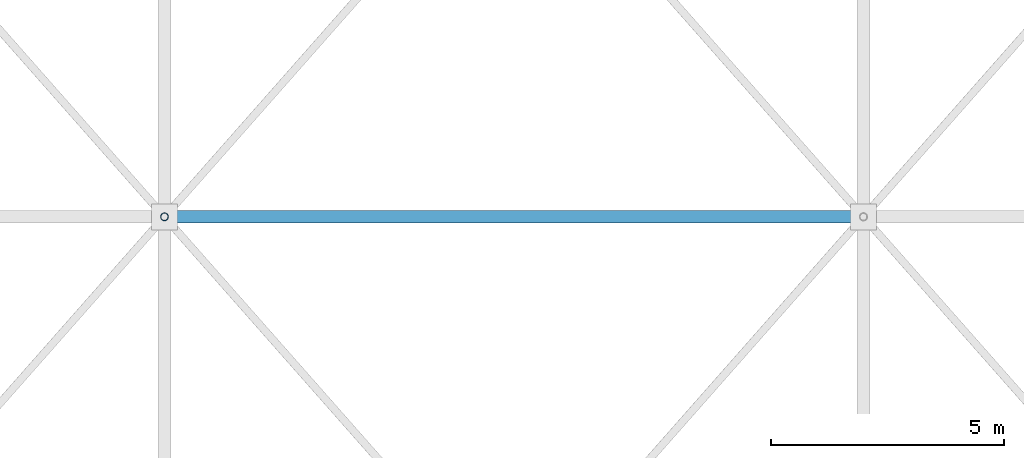
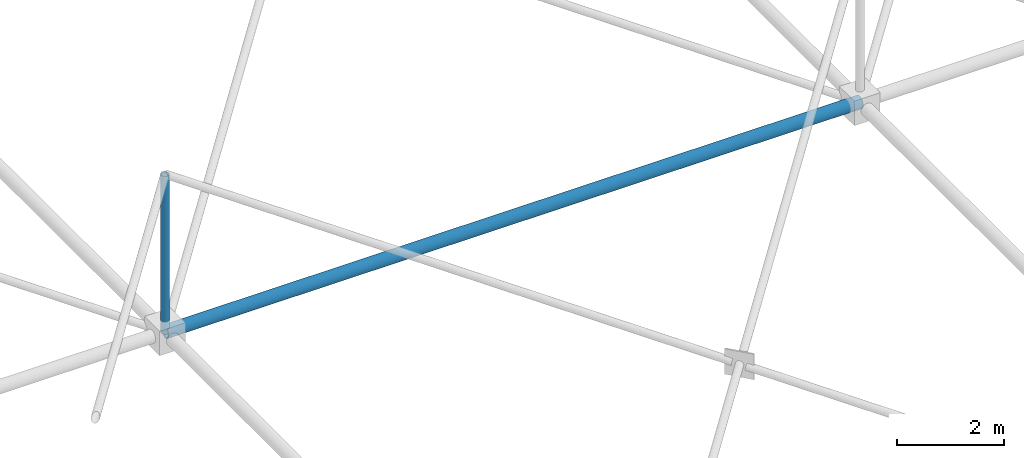
# One storey, part 56 of 224: 2 members.
"""IFC4 building model written with IfcOpenShell, lengths in metres."""

from ifc_helpers import new_model, si_unit, direction, frame, origin, origin_2d, place, context, subcontext, project, spatial, hollow_circle, extrude, material, material_profile, profile_set, type_object, element, save


model = new_model("IFC4")

# Units and contexts
model_context = context("Model", 3, precision=1e-05, world=origin(), true_north=direction((0.0, 1.0)))
body_context = subcontext(model_context, "Body", "Model", "MODEL_VIEW")
ifc_project = project(units=[si_unit("LENGTHUNIT", "METRE"), si_unit("AREAUNIT", "SQUARE_METRE"), si_unit("VOLUMEUNIT", "CUBIC_METRE"), si_unit("PLANEANGLEUNIT", "RADIAN"), si_unit("MASSUNIT", "GRAM", prefix="KILO")], contexts=[model_context])

# Site, building, storey
site_placement = place(None, origin())
site = spatial("IfcSite", under=ifc_project, at=site_placement, CompositionType="ELEMENT")
building_placement = place(site_placement, origin())
building = spatial("IfcBuilding", under=site, at=building_placement, Name="Qamarlyn Nura Convention Centre", CompositionType="ELEMENT")
storey_placement = place(building_placement, frame((0.0, 0.0, 10.800048828125)))
storey = spatial("IfcBuildingStorey", under=building, at=storey_placement, Name="L02", CompositionType="ELEMENT", Elevation=10.800048828125)

# Members
ifc_material = material(Name="Pearl-white PVDF steel ASTM A500 Grade C", Category="steel")
ifc_material_profile_1 = material_profile(ifc_material, hollow_circle(Radius=0.136474609375, WallThickness=0.012451171875, at=origin_2d()), Name="CHS273X12.5")
ifc_profile_set_1 = profile_set([ifc_material_profile_1], Name="Pearl-white PVDF steel ASTM A500 Grade C")
member_type_1 = type_object("IfcMemberType", Name="SF-BC-MAIN", PredefinedType="CHORD", material=ifc_profile_set_1)
member_1_placement = place(storey_placement, frame((60.0, 52.0, 0.800048828125), z_axis=(1.0, 0.0, 0.0), x_axis=(0.0, 1.0, 0.0)))
element("IfcMember", 1, at=member_1_placement, inside=storey, type_object=member_type_1, Name="ROOF TRUSS space frame bottom chord X6-4", PredefinedType="CHORD", context=body_context, shape_type="SweptSolid", body=[
    extrude(hollow_circle(Radius=0.136474609375, WallThickness=0.012451171875, at=origin_2d()), origin(), (0.0, 0.0, 1.0), 15.0),
])
ifc_material_profile_2 = material_profile(ifc_material, hollow_circle(Radius=0.084228515625, WallThickness=0.008056640625, at=origin_2d()), Name="CHS168.3X8")
ifc_profile_set_2 = profile_set([ifc_material_profile_2], Name="Pearl-white PVDF steel ASTM A500 Grade C")
member_type_2 = type_object("IfcMemberType", Name="SF-WEB-STD", PredefinedType="BRACE", material=ifc_profile_set_2)
member_2_placement = place(storey_placement, frame((60.0, 52.0, 0.800048828125), z_axis=(0.0, 0.0, 1.0), x_axis=(1.0, 0.0, 0.0)))
element("IfcMember", 2, at=member_2_placement, inside=storey, type_object=member_type_2, Name="ROOF TRUSS space frame vertical 6-4", PredefinedType="BRACE", context=body_context, shape_type="SweptSolid", body=[
    extrude(hollow_circle(Radius=0.084228515625, WallThickness=0.008056640625, at=origin_2d()), origin(), (0.0, 0.0, 1.0), 3.599853515625),
])

save(model, "model.ifc")
